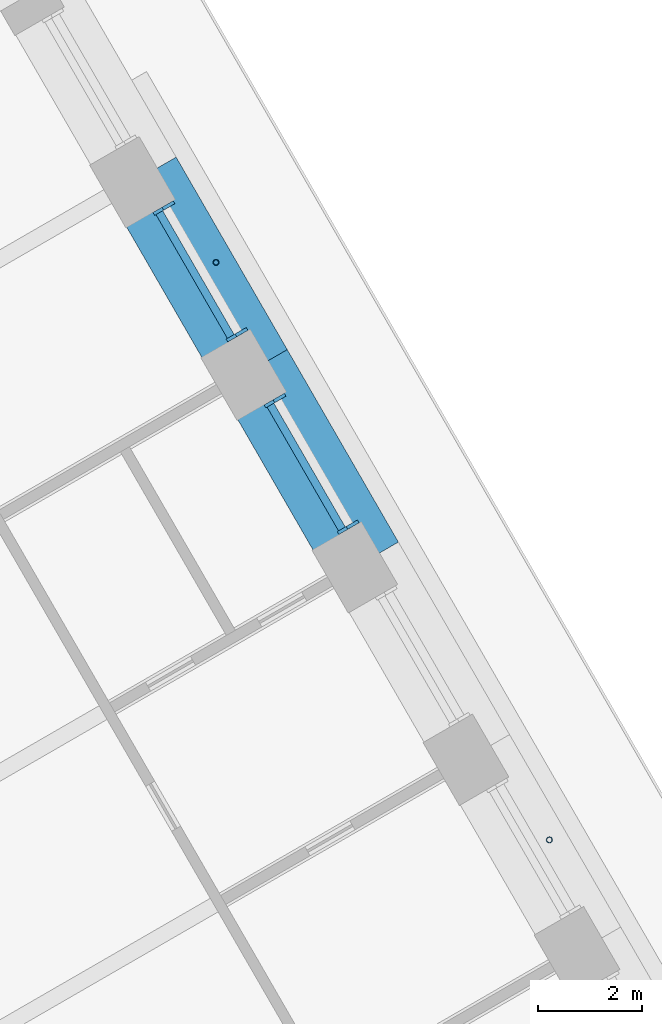
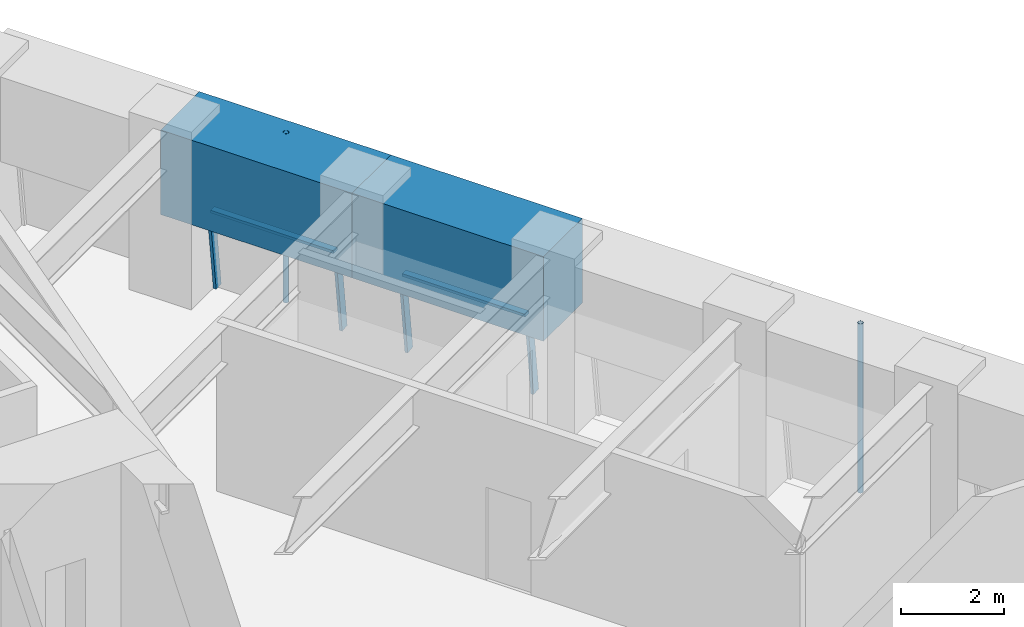
# One storey, part 10 of 18: 8 members, 2 beams, 2 elements without a shape of their own.
"""IFC4 building model written with IfcOpenShell, lengths in metres."""

from ifc_helpers import new_model, si_unit, direction, frame, origin, origin_2d, place, context, subcontext, project, spatial, rectangle, hollow_circle, extrude, material, material_profile, profile_set, type_object, element, aggregate, save


model = new_model("IFC4")

# Units and contexts
model_context = context("Model", 3, precision=1e-05, world=origin(), true_north=direction((0.0, 1.0)))
body_context = subcontext(model_context, "Body", "Model", "MODEL_VIEW")
ifc_project = project(units=[si_unit("LENGTHUNIT", "METRE"), si_unit("AREAUNIT", "SQUARE_METRE"), si_unit("VOLUMEUNIT", "CUBIC_METRE"), si_unit("PLANEANGLEUNIT", "RADIAN"), si_unit("MASSUNIT", "GRAM", prefix="KILO")], contexts=[model_context])

# Site, building, storey
site_placement = place(None, origin())
site = spatial("IfcSite", under=ifc_project, at=site_placement, CompositionType="ELEMENT")
building_placement = place(site_placement, origin())
building = spatial("IfcBuilding", under=site, at=building_placement, Name="Tarfa Lantern Tower", CompositionType="ELEMENT")
storey_placement = place(building_placement, frame((0.0, 0.0, 315.699951171875)))
storey = spatial("IfcBuildingStorey", under=building, at=storey_placement, Name="L71", CompositionType="ELEMENT", Elevation=315.699951171875)

# Curtain wall, members
ifc_material_1 = material(Name="Aluminium framed curtain wall", Category="aluminium")
curtain_wall_type = type_object("IfcCurtainWallType", Name="CW4 CANTED GLAZING EXECUTIVE ZONE 2000", PredefinedType="USERDEFINED", material=ifc_material_1)
curtain_wall_1_placement = place(storey_placement, origin())
curtain_wall_1 = element("IfcCurtainWall", 1, at=curtain_wall_1_placement, inside=storey, type_object=curtain_wall_type, Name="CW4 NE L71", ObjectType="CURTAIN WALL", PredefinedType="USERDEFINED")
ifc_material_2 = material(Name="Aluminium mullion", Category="aluminium")
ifc_material_profile_1 = material_profile(ifc_material_2, rectangle(XDim=0.06494140625, YDim=0.199951171875, at=origin_2d()), Name="AL MULLION 65x200")
ifc_profile_set_1 = profile_set([ifc_material_profile_1], Name="Aluminium mullion")
member_type_1 = type_object("IfcMemberType", Name="CWM1 MULLION 65x200", PredefinedType="MULLION", material=ifc_profile_set_1)
member_1_placement = place(storey_placement, frame((22.71337890625, 13.95947265625, 0.0), z_axis=(-0.107439978116, -0.062017213975, 0.992275423596), x_axis=(0.499919672301, -0.866071776036, 0.0)))
member_1 = element("IfcMember", 2, at=member_1_placement, type_object=member_type_1, Name="CW4 mullion 1", PredefinedType="MULLION", context=body_context, shape_type="SweptSolid", body=[
    extrude(rectangle(XDim=0.06494140625, YDim=0.199951171875, at=origin_2d()), origin(), (0.0, 0.0, 1.0), 2.015625),
])
member_2_placement = place(storey_placement, frame((21.304931640625, 16.39892578125, 0.0), z_axis=(-0.107439978116, -0.062017213975, 0.992275423596), x_axis=(0.499919672301, -0.866071776036, 0.0)))
member_2 = element("IfcMember", 3, at=member_2_placement, type_object=member_type_1, Name="CW4 mullion 2", PredefinedType="MULLION", context=body_context, shape_type="SweptSolid", body=[
    extrude(rectangle(XDim=0.06494140625, YDim=0.199951171875, at=origin_2d()), origin(), (0.0, 0.0, 1.0), 2.015625),
])

curtain_wall_2_placement = place(storey_placement, origin())
curtain_wall_2 = element("IfcCurtainWall", 4, at=curtain_wall_2_placement, inside=storey, type_object=curtain_wall_type, Name="CW4 NE L71", ObjectType="CURTAIN WALL", PredefinedType="USERDEFINED")
member_3_placement = place(storey_placement, frame((20.572265625, 17.667724609375, 0.0), z_axis=(-0.107439978116, -0.062017213975, 0.992275423596), x_axis=(0.499919672301, -0.866071776036, 0.0)))
member_3 = element("IfcMember", 5, at=member_3_placement, type_object=member_type_1, Name="CW4 mullion 1", PredefinedType="MULLION", context=body_context, shape_type="SweptSolid", body=[
    extrude(rectangle(XDim=0.06494140625, YDim=0.199951171875, at=origin_2d()), origin(), (0.0, 0.0, 1.0), 2.015625),
])
member_4_placement = place(storey_placement, frame((19.163818359375, 20.107421875, 0.0), z_axis=(-0.107439978116, -0.062017213975, 0.992275423596), x_axis=(0.499919672301, -0.866071776036, 0.0)))
member_4 = element("IfcMember", 6, at=member_4_placement, type_object=member_type_1, Name="CW4 mullion 2", PredefinedType="MULLION", context=body_context, shape_type="SweptSolid", body=[
    extrude(rectangle(XDim=0.06494140625, YDim=0.199951171875, at=origin_2d()), origin(), (0.0, 0.0, 1.0), 2.015625),
])

# Member
ifc_material_3 = material(Name="Aluminium transom", Category="aluminium")
ifc_material_profile_2 = material_profile(ifc_material_3, rectangle(XDim=0.14990234375, YDim=0.06494140625, at=origin_2d()), Name="AL TRANSOM 150x65")
ifc_profile_set_2 = profile_set([ifc_material_profile_2], Name="Aluminium transom")
member_type_2 = type_object("IfcMemberType", Name="CWT1 TRANSOM 150x65", PredefinedType="USERDEFINED", material=ifc_profile_set_2)
member_5_placement = place(storey_placement, frame((22.484130859375, 13.864501953125, 1.967529296875), z_axis=(-0.499993790352, 0.866028988896, 0.0), x_axis=(-0.866028988896, -0.499993790352, 0.0)))
member_5 = element("IfcMember", 7, at=member_5_placement, type_object=member_type_2, Name="CW4 transom 1.2", ObjectType="TRANSOM", PredefinedType="USERDEFINED", context=body_context, shape_type="SweptSolid", body=[
    extrude(rectangle(XDim=0.14990234375, YDim=0.06494140625, at=origin_2d()), origin(), (0.0, 0.0, 1.0), 2.751953125),
])

aggregate(curtain_wall_1, [member_1, member_2, member_5])

member_6_placement = place(storey_placement, frame((20.343017578125, 17.57275390625, 1.967529296875), z_axis=(-0.499955378711, 0.866051164365, 0.0), x_axis=(-0.866051164365, -0.499955378711, 0.0)))
member_6 = element("IfcMember", 8, at=member_6_placement, type_object=member_type_2, Name="CW4 transom 1.2", ObjectType="TRANSOM", PredefinedType="USERDEFINED", context=body_context, shape_type="SweptSolid", body=[
    extrude(rectangle(XDim=0.14990234375, YDim=0.06494140625, at=origin_2d()), origin(), (0.0, 0.0, 1.0), 2.752197265625),
])

aggregate(curtain_wall_2, [member_3, member_4, member_6])

# Beams
ifc_material_4 = material(Name="Concrete C80/95", Category="concrete")
ifc_material_profile_3 = material_profile(ifc_material_4, rectangle(XDim=1.5, YDim=2.0, at=origin_2d()), Name="RC 1500x2000")
ifc_profile_set_3 = profile_set([ifc_material_profile_3], Name="Concrete C80/95")
beam_type = type_object("IfcBeamType", Name="RB3 RC 1500x2000", PredefinedType="BEAM", material=ifc_profile_set_3)
for number, where, z_axis, x_axis, name in (
    (9, (22.923583984375, 13.235107421875, 3.0), (-0.499984039138, 0.866034618596, 0.0), (-0.866034618596, -0.499984039138, 0.0), "Edge beam NE3"),
    (10, (20.78271484375, 16.943359375, 3.0), (-0.500026801138, 0.866009929587, 0.0), (-0.866009929587, -0.500026801138, 0.0), "Edge beam NE4"),
):
    element("IfcBeam", number, at=place(storey_placement, frame(where, z_axis=z_axis, x_axis=x_axis)), inside=storey, type_object=beam_type, Name=name, PredefinedType="BEAM", context=body_context, shape_type="SweptSolid", body=[
        extrude(rectangle(XDim=1.5, YDim=2.0, at=origin_2d()), origin(), (0.0, 0.0, 1.0), 4.281982421875),
    ])

# Members
ifc_material_5 = material(Name="Steel S355", Category="steel")
ifc_material_profile_4 = material_profile(ifc_material_5, hollow_circle(Radius=0.05712890625, WallThickness=0.00634765625, at=origin_2d()), Name="CHS114.3x6.3")
ifc_profile_set_4 = profile_set([ifc_material_profile_4], Name="Steel S355")
member_type_3 = type_object("IfcMemberType", Name="TR1 GREEN WALL TRELLIS CHS114.3x6.3", PredefinedType="USERDEFINED", material=ifc_profile_set_4)
for number, where, z_axis, x_axis, name in (
    (11, (26.481689453125, 7.87255859375, 0.0), (0.0, 0.0, 1.0), (1.0, 0.0, 0.0), "Trellis post NE 1"),
    (12, (20.05859375, 18.99755859375, 0.0), (0.0, 0.0, 1.0), (1.0, 0.0, 0.0), "Trellis post NE 2"),
):
    element("IfcMember", number, at=place(storey_placement, frame(where, z_axis=z_axis, x_axis=x_axis)), inside=storey, type_object=member_type_3, Name=name, ObjectType="TRELLIS", PredefinedType="USERDEFINED", context=body_context, shape_type="SweptSolid", body=[
        extrude(hollow_circle(Radius=0.05712890625, WallThickness=0.00634765625, at=origin_2d()), origin(), (0.0, 0.0, 1.0), 4.0),
    ])

save(model, "model.ifc")
